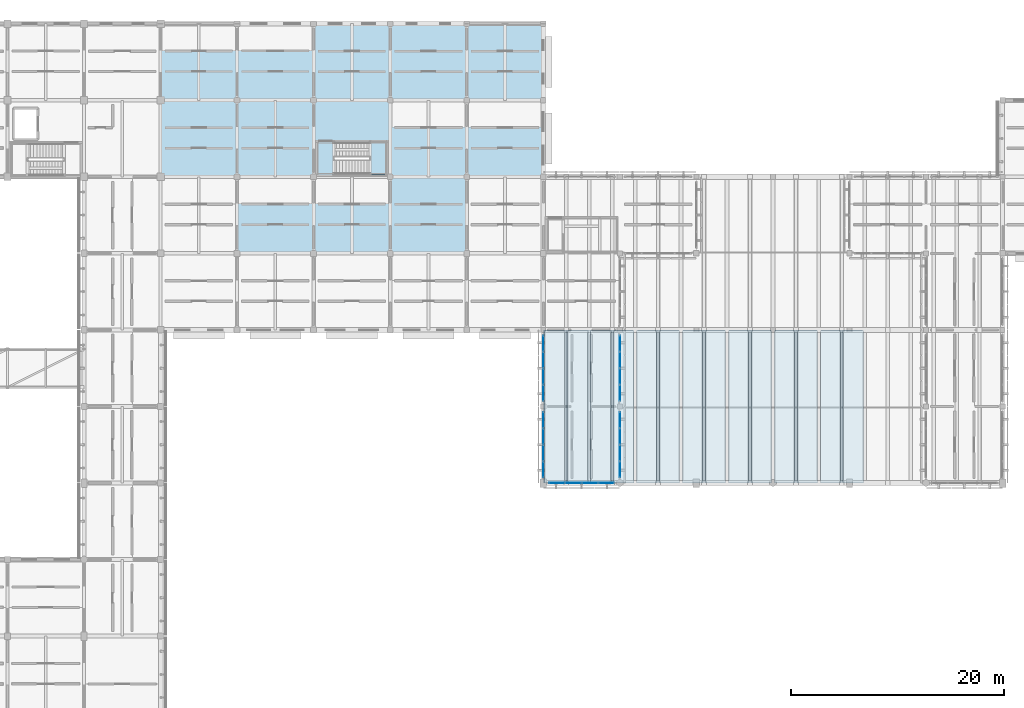
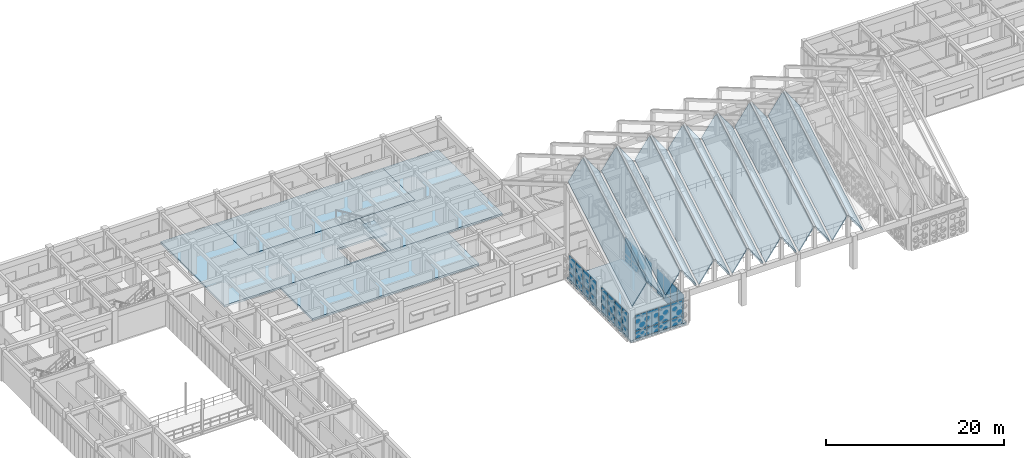
# One storey, part 102 of 171: 40 plates, 20 slabs, 6 elements without a shape of their own.
"""IFC4 building model written with IfcOpenShell, lengths in metres."""

from ifc_helpers import new_model, si_unit, direction, frame, origin, origin_2d, place, context, subcontext, project, spatial, polyline, rectangle, outline, extrude, material, layer, layer_set, type_object, element, aggregate, save


model = new_model("IFC4")

# Units and contexts
model_context = context("Model", 3, precision=1e-05, world=origin(), true_north=direction((0.0, 1.0)))
body_context = subcontext(model_context, "Body", "Model", "MODEL_VIEW")
ifc_project = project(units=[si_unit("LENGTHUNIT", "METRE"), si_unit("AREAUNIT", "SQUARE_METRE"), si_unit("VOLUMEUNIT", "CUBIC_METRE"), si_unit("PLANEANGLEUNIT", "RADIAN"), si_unit("MASSUNIT", "GRAM", prefix="KILO")], contexts=[model_context])

# Site, building, storey
site_placement = place(None, origin())
site = spatial("IfcSite", under=ifc_project, at=site_placement, CompositionType="ELEMENT")
building_placement = place(site_placement, origin())
building = spatial("IfcBuilding", under=site, at=building_placement, Name="Aldebral Square Health Centre", CompositionType="ELEMENT")
storey_placement = place(building_placement, frame((0.0, 0.0, 4.5)))
storey = spatial("IfcBuildingStorey", under=building, at=storey_placement, Name="L01", CompositionType="ELEMENT", Elevation=4.5)

# Curtain wall, plates
ifc_material_1 = material(Name="Aluminium and low-E solar glass", Category="aluminium")
curtain_wall_type = type_object("IfcCurtainWallType", Name="CW-HALL-SYS", PredefinedType="USERDEFINED", material=ifc_material_1)
curtain_wall_1_placement = place(storey_placement, origin())
curtain_wall_1 = element("IfcCurtainWall", 1, at=curtain_wall_1_placement, inside=storey, type_object=curtain_wall_type, Name="L01 V1 hall curtain wall L01-V1-09-10-S", ObjectType="HALL_CURTAIN_WALL", PredefinedType="USERDEFINED")
ifc_material_2 = material(Name="Solar-control low-E double glass", Category="glass")
ifc_layer_1 = layer(ifc_material_2, 0.030029296875, Name="Solar-control low-E double glass", Category="glass")
ifc_layer_set_1 = layer_set([ifc_layer_1], Name="Solar-control low-E double glass")
plate_type = type_object("IfcPlateType", Name="CWP-GLZ-2", PredefinedType="CURTAIN_PANEL", material=ifc_layer_set_1)
plate_1_placement = place(storey_placement, frame((66.078857421875, 72.0, 0.0751953125), z_axis=(0.0, 0.0, 1.0), x_axis=(1.0, 0.0, 0.0)))
plate_1 = element("IfcPlate", 2, at=plate_1_placement, type_object=plate_type, Name="CW2 panel 1.1", PredefinedType="CURTAIN_PANEL", context=body_context, shape_type="SweptSolid", body=[
    extrude(rectangle(XDim=1.447509765625, YDim=0.030029296875, at=origin_2d()), origin(), (0.0, 0.0, 1.0), 0.987548828125),
])
plate_2_placement = place(storey_placement, frame((66.078857421875, 72.0, 1.1376953125), z_axis=(0.0, 0.0, 1.0), x_axis=(1.0, 0.0, 0.0)))
plate_2 = element("IfcPlate", 3, at=plate_2_placement, type_object=plate_type, Name="CW2 panel 1.2", PredefinedType="CURTAIN_PANEL", context=body_context, shape_type="SweptSolid", body=[
    extrude(rectangle(XDim=1.447509765625, YDim=0.030029296875, at=origin_2d()), origin(), (0.0, 0.0, 1.0), 2.157470703125),
])
plate_3_placement = place(storey_placement, frame((67.6201171875, 72.0, 0.0751953125), z_axis=(0.0, 0.0, 1.0), x_axis=(1.0, 0.0, 0.0)))
plate_3 = element("IfcPlate", 4, at=plate_3_placement, type_object=plate_type, Name="CW2 panel 2.1", PredefinedType="CURTAIN_PANEL", context=body_context, shape_type="SweptSolid", body=[
    extrude(rectangle(XDim=1.485107421875, YDim=0.030029296875, at=origin_2d()), origin(), (0.0, 0.0, 1.0), 0.987548828125),
])
plate_4_placement = place(storey_placement, frame((67.6201171875, 72.0, 1.1376953125), z_axis=(0.0, 0.0, 1.0), x_axis=(1.0, 0.0, 0.0)))
plate_4 = element("IfcPlate", 5, at=plate_4_placement, type_object=plate_type, Name="CW2 panel 2.2", PredefinedType="CURTAIN_PANEL", context=body_context, shape_type="SweptSolid", body=[
    extrude(rectangle(XDim=1.485107421875, YDim=0.030029296875, at=origin_2d()), origin(), (0.0, 0.0, 1.0), 2.157470703125),
])
plate_5_placement = place(storey_placement, frame((69.179931640625, 72.0, 0.0751953125), z_axis=(0.0, 0.0, 1.0), x_axis=(1.0, 0.0, 0.0)))
plate_5 = element("IfcPlate", 6, at=plate_5_placement, type_object=plate_type, Name="CW2 panel 3.1", PredefinedType="CURTAIN_PANEL", context=body_context, shape_type="SweptSolid", body=[
    extrude(rectangle(XDim=1.485107421875, YDim=0.030029296875, at=origin_2d()), origin(), (0.0, 0.0, 1.0), 0.987548828125),
])
plate_6_placement = place(storey_placement, frame((69.179931640625, 72.0, 1.1376953125), z_axis=(0.0, 0.0, 1.0), x_axis=(1.0, 0.0, 0.0)))
plate_6 = element("IfcPlate", 7, at=plate_6_placement, type_object=plate_type, Name="CW2 panel 3.2", PredefinedType="CURTAIN_PANEL", context=body_context, shape_type="SweptSolid", body=[
    extrude(rectangle(XDim=1.485107421875, YDim=0.030029296875, at=origin_2d()), origin(), (0.0, 0.0, 1.0), 2.157470703125),
])
plate_7_placement = place(storey_placement, frame((70.72119140625, 72.0, 0.0751953125), z_axis=(0.0, 0.0, 1.0), x_axis=(1.0, 0.0, 0.0)))
plate_7 = element("IfcPlate", 8, at=plate_7_placement, type_object=plate_type, Name="CW2 panel 4.1", PredefinedType="CURTAIN_PANEL", context=body_context, shape_type="SweptSolid", body=[
    extrude(rectangle(XDim=1.447509765625, YDim=0.030029296875, at=origin_2d()), origin(), (0.0, 0.0, 1.0), 0.987548828125),
])
plate_8_placement = place(storey_placement, frame((70.72119140625, 72.0, 1.1376953125), z_axis=(0.0, 0.0, 1.0), x_axis=(1.0, 0.0, 0.0)))
plate_8 = element("IfcPlate", 9, at=plate_8_placement, type_object=plate_type, Name="CW2 panel 4.2", PredefinedType="CURTAIN_PANEL", context=body_context, shape_type="SweptSolid", body=[
    extrude(rectangle(XDim=1.447509765625, YDim=0.030029296875, at=origin_2d()), origin(), (0.0, 0.0, 1.0), 2.157470703125),
])
aggregate(curtain_wall_1, [plate_1, plate_2, plate_3, plate_4, plate_5, plate_6, plate_7, plate_8])

curtain_wall_2_placement = place(storey_placement, origin())
curtain_wall_2 = element("IfcCurtainWall", 10, at=curtain_wall_2_placement, inside=storey, type_object=curtain_wall_type, Name="L01 V1 hall curtain wall L01-V1-09-10-W", ObjectType="HALL_CURTAIN_WALL", PredefinedType="USERDEFINED")
plate_9_placement = place(storey_placement, frame((64.800048828125, 77.921142578125, 0.0751953125), z_axis=(0.0, 0.0, 1.0), x_axis=(0.0, -1.0, 0.0)))
plate_9 = element("IfcPlate", 11, at=plate_9_placement, type_object=plate_type, Name="CW2 panel 1.1", PredefinedType="CURTAIN_PANEL", context=body_context, shape_type="SweptSolid", body=[
    extrude(rectangle(XDim=1.447509765625, YDim=0.030029296875, at=origin_2d()), origin(), (0.0, 0.0, 1.0), 0.987548828125),
])
plate_10_placement = place(storey_placement, frame((64.800048828125, 77.921142578125, 1.1376953125), z_axis=(0.0, 0.0, 1.0), x_axis=(0.0, -1.0, 0.0)))
plate_10 = element("IfcPlate", 12, at=plate_10_placement, type_object=plate_type, Name="CW2 panel 1.2", PredefinedType="CURTAIN_PANEL", context=body_context, shape_type="SweptSolid", body=[
    extrude(rectangle(XDim=1.447509765625, YDim=0.030029296875, at=origin_2d()), origin(), (0.0, 0.0, 1.0), 2.257568359375),
])
plate_11_placement = place(storey_placement, frame((64.800048828125, 76.3798828125, 0.0751953125), z_axis=(0.0, 0.0, 1.0), x_axis=(0.0, -1.0, 0.0)))
plate_11 = element("IfcPlate", 13, at=plate_11_placement, type_object=plate_type, Name="CW2 panel 2.1", PredefinedType="CURTAIN_PANEL", context=body_context, shape_type="SweptSolid", body=[
    extrude(rectangle(XDim=1.485107421875, YDim=0.030029296875, at=origin_2d()), origin(), (0.0, 0.0, 1.0), 0.987548828125),
])
plate_12_placement = place(storey_placement, frame((64.800048828125, 76.3798828125, 1.1376953125), z_axis=(0.0, 0.0, 1.0), x_axis=(0.0, -1.0, 0.0)))
plate_12 = element("IfcPlate", 14, at=plate_12_placement, type_object=plate_type, Name="CW2 panel 2.2", PredefinedType="CURTAIN_PANEL", context=body_context, shape_type="SweptSolid", body=[
    extrude(rectangle(XDim=1.485107421875, YDim=0.030029296875, at=origin_2d()), origin(), (0.0, 0.0, 1.0), 2.257568359375),
])
plate_13_placement = place(storey_placement, frame((64.800048828125, 74.820068359375, 0.0751953125), z_axis=(0.0, 0.0, 1.0), x_axis=(0.0, -1.0, 0.0)))
plate_13 = element("IfcPlate", 15, at=plate_13_placement, type_object=plate_type, Name="CW2 panel 3.1", PredefinedType="CURTAIN_PANEL", context=body_context, shape_type="SweptSolid", body=[
    extrude(rectangle(XDim=1.485107421875, YDim=0.030029296875, at=origin_2d()), origin(), (0.0, 0.0, 1.0), 0.987548828125),
])
plate_14_placement = place(storey_placement, frame((64.800048828125, 74.820068359375, 1.1376953125), z_axis=(0.0, 0.0, 1.0), x_axis=(0.0, -1.0, 0.0)))
plate_14 = element("IfcPlate", 16, at=plate_14_placement, type_object=plate_type, Name="CW2 panel 3.2", PredefinedType="CURTAIN_PANEL", context=body_context, shape_type="SweptSolid", body=[
    extrude(rectangle(XDim=1.485107421875, YDim=0.030029296875, at=origin_2d()), origin(), (0.0, 0.0, 1.0), 2.257568359375),
])
plate_15_placement = place(storey_placement, frame((64.800048828125, 73.27880859375, 0.0751953125), z_axis=(0.0, 0.0, 1.0), x_axis=(0.0, -1.0, 0.0)))
plate_15 = element("IfcPlate", 17, at=plate_15_placement, type_object=plate_type, Name="CW2 panel 4.1", PredefinedType="CURTAIN_PANEL", context=body_context, shape_type="SweptSolid", body=[
    extrude(rectangle(XDim=1.447509765625, YDim=0.030029296875, at=origin_2d()), origin(), (0.0, 0.0, 1.0), 0.987548828125),
])
plate_16_placement = place(storey_placement, frame((64.800048828125, 73.27880859375, 1.1376953125), z_axis=(0.0, 0.0, 1.0), x_axis=(0.0, -1.0, 0.0)))
plate_16 = element("IfcPlate", 18, at=plate_16_placement, type_object=plate_type, Name="CW2 panel 4.2", PredefinedType="CURTAIN_PANEL", context=body_context, shape_type="SweptSolid", body=[
    extrude(rectangle(XDim=1.447509765625, YDim=0.030029296875, at=origin_2d()), origin(), (0.0, 0.0, 1.0), 2.257568359375),
])
aggregate(curtain_wall_2, [plate_9, plate_10, plate_11, plate_12, plate_13, plate_14, plate_15, plate_16])

curtain_wall_3_placement = place(storey_placement, origin())
curtain_wall_3 = element("IfcCurtainWall", 19, at=curtain_wall_3_placement, inside=storey, type_object=curtain_wall_type, Name="L01 V1 hall curtain wall L01-V1-09-10-E", ObjectType="HALL_CURTAIN_WALL", PredefinedType="USERDEFINED")
plate_17_placement = place(storey_placement, frame((72.0, 73.27880859375, 0.0751953125), z_axis=(0.0, 0.0, 1.0), x_axis=(0.0, 1.0, 0.0)))
plate_17 = element("IfcPlate", 20, at=plate_17_placement, type_object=plate_type, Name="CW2 panel 1.1", PredefinedType="CURTAIN_PANEL", context=body_context, shape_type="SweptSolid", body=[
    extrude(rectangle(XDim=1.447509765625, YDim=0.030029296875, at=origin_2d()), origin(), (0.0, 0.0, 1.0), 0.987548828125),
])
plate_18_placement = place(storey_placement, frame((72.0, 73.27880859375, 1.1376953125), z_axis=(0.0, 0.0, 1.0), x_axis=(0.0, 1.0, 0.0)))
plate_18 = element("IfcPlate", 21, at=plate_18_placement, type_object=plate_type, Name="CW2 panel 1.2", PredefinedType="CURTAIN_PANEL", context=body_context, shape_type="SweptSolid", body=[
    extrude(rectangle(XDim=1.447509765625, YDim=0.030029296875, at=origin_2d()), origin(), (0.0, 0.0, 1.0), 2.257568359375),
])
plate_19_placement = place(storey_placement, frame((72.0, 74.820068359375, 0.0751953125), z_axis=(0.0, 0.0, 1.0), x_axis=(0.0, 1.0, 0.0)))
plate_19 = element("IfcPlate", 22, at=plate_19_placement, type_object=plate_type, Name="CW2 panel 2.1", PredefinedType="CURTAIN_PANEL", context=body_context, shape_type="SweptSolid", body=[
    extrude(rectangle(XDim=1.485107421875, YDim=0.030029296875, at=origin_2d()), origin(), (0.0, 0.0, 1.0), 0.987548828125),
])
plate_20_placement = place(storey_placement, frame((72.0, 74.820068359375, 1.1376953125), z_axis=(0.0, 0.0, 1.0), x_axis=(0.0, 1.0, 0.0)))
plate_20 = element("IfcPlate", 23, at=plate_20_placement, type_object=plate_type, Name="CW2 panel 2.2", PredefinedType="CURTAIN_PANEL", context=body_context, shape_type="SweptSolid", body=[
    extrude(rectangle(XDim=1.485107421875, YDim=0.030029296875, at=origin_2d()), origin(), (0.0, 0.0, 1.0), 2.257568359375),
])
plate_21_placement = place(storey_placement, frame((72.0, 76.3798828125, 0.0751953125), z_axis=(0.0, 0.0, 1.0), x_axis=(0.0, 1.0, 0.0)))
plate_21 = element("IfcPlate", 24, at=plate_21_placement, type_object=plate_type, Name="CW2 panel 3.1", PredefinedType="CURTAIN_PANEL", context=body_context, shape_type="SweptSolid", body=[
    extrude(rectangle(XDim=1.485107421875, YDim=0.030029296875, at=origin_2d()), origin(), (0.0, 0.0, 1.0), 0.987548828125),
])
plate_22_placement = place(storey_placement, frame((72.0, 76.3798828125, 1.1376953125), z_axis=(0.0, 0.0, 1.0), x_axis=(0.0, 1.0, 0.0)))
plate_22 = element("IfcPlate", 25, at=plate_22_placement, type_object=plate_type, Name="CW2 panel 3.2", PredefinedType="CURTAIN_PANEL", context=body_context, shape_type="SweptSolid", body=[
    extrude(rectangle(XDim=1.485107421875, YDim=0.030029296875, at=origin_2d()), origin(), (0.0, 0.0, 1.0), 2.257568359375),
])
plate_23_placement = place(storey_placement, frame((72.0, 77.921142578125, 0.0751953125), z_axis=(0.0, 0.0, 1.0), x_axis=(0.0, 1.0, 0.0)))
plate_23 = element("IfcPlate", 26, at=plate_23_placement, type_object=plate_type, Name="CW2 panel 4.1", PredefinedType="CURTAIN_PANEL", context=body_context, shape_type="SweptSolid", body=[
    extrude(rectangle(XDim=1.447509765625, YDim=0.030029296875, at=origin_2d()), origin(), (0.0, 0.0, 1.0), 0.987548828125),
])
plate_24_placement = place(storey_placement, frame((72.0, 77.921142578125, 1.1376953125), z_axis=(0.0, 0.0, 1.0), x_axis=(0.0, 1.0, 0.0)))
plate_24 = element("IfcPlate", 27, at=plate_24_placement, type_object=plate_type, Name="CW2 panel 4.2", PredefinedType="CURTAIN_PANEL", context=body_context, shape_type="SweptSolid", body=[
    extrude(rectangle(XDim=1.447509765625, YDim=0.030029296875, at=origin_2d()), origin(), (0.0, 0.0, 1.0), 2.257568359375),
])
aggregate(curtain_wall_3, [plate_17, plate_18, plate_19, plate_20, plate_21, plate_22, plate_23, plate_24])

curtain_wall_4_placement = place(storey_placement, origin())
curtain_wall_4 = element("IfcCurtainWall", 28, at=curtain_wall_4_placement, inside=storey, type_object=curtain_wall_type, Name="L01 V1 hall curtain wall L01-V1-09-11-W", ObjectType="HALL_CURTAIN_WALL", PredefinedType="USERDEFINED")
plate_25_placement = place(storey_placement, frame((64.800048828125, 85.121337890625, 0.0751953125), z_axis=(0.0, 0.0, 1.0), x_axis=(0.0, -1.0, 0.0)))
plate_25 = element("IfcPlate", 29, at=plate_25_placement, type_object=plate_type, Name="CW2 panel 1.1", PredefinedType="CURTAIN_PANEL", context=body_context, shape_type="SweptSolid", body=[
    extrude(rectangle(XDim=1.447509765625, YDim=0.030029296875, at=origin_2d()), origin(), (0.0, 0.0, 1.0), 0.987548828125),
])
plate_26_placement = place(storey_placement, frame((64.800048828125, 85.121337890625, 1.1376953125), z_axis=(0.0, 0.0, 1.0), x_axis=(0.0, -1.0, 0.0)))
plate_26 = element("IfcPlate", 30, at=plate_26_placement, type_object=plate_type, Name="CW2 panel 1.2", PredefinedType="CURTAIN_PANEL", context=body_context, shape_type="SweptSolid", body=[
    extrude(rectangle(XDim=1.447509765625, YDim=0.030029296875, at=origin_2d()), origin(), (0.0, 0.0, 1.0), 2.257568359375),
])
plate_27_placement = place(storey_placement, frame((64.800048828125, 83.580078125, 0.0751953125), z_axis=(0.0, 0.0, 1.0), x_axis=(0.0, -1.0, 0.0)))
plate_27 = element("IfcPlate", 31, at=plate_27_placement, type_object=plate_type, Name="CW2 panel 2.1", PredefinedType="CURTAIN_PANEL", context=body_context, shape_type="SweptSolid", body=[
    extrude(rectangle(XDim=1.485107421875, YDim=0.030029296875, at=origin_2d()), origin(), (0.0, 0.0, 1.0), 0.987548828125),
])
plate_28_placement = place(storey_placement, frame((64.800048828125, 83.580078125, 1.1376953125), z_axis=(0.0, 0.0, 1.0), x_axis=(0.0, -1.0, 0.0)))
plate_28 = element("IfcPlate", 32, at=plate_28_placement, type_object=plate_type, Name="CW2 panel 2.2", PredefinedType="CURTAIN_PANEL", context=body_context, shape_type="SweptSolid", body=[
    extrude(rectangle(XDim=1.485107421875, YDim=0.030029296875, at=origin_2d()), origin(), (0.0, 0.0, 1.0), 2.257568359375),
])
plate_29_placement = place(storey_placement, frame((64.800048828125, 82.02001953125, 0.0751953125), z_axis=(0.0, 0.0, 1.0), x_axis=(0.0, -1.0, 0.0)))
plate_29 = element("IfcPlate", 33, at=plate_29_placement, type_object=plate_type, Name="CW2 panel 3.1", PredefinedType="CURTAIN_PANEL", context=body_context, shape_type="SweptSolid", body=[
    extrude(rectangle(XDim=1.485107421875, YDim=0.030029296875, at=origin_2d()), origin(), (0.0, 0.0, 1.0), 0.987548828125),
])
plate_30_placement = place(storey_placement, frame((64.800048828125, 82.02001953125, 1.1376953125), z_axis=(0.0, 0.0, 1.0), x_axis=(0.0, -1.0, 0.0)))
plate_30 = element("IfcPlate", 34, at=plate_30_placement, type_object=plate_type, Name="CW2 panel 3.2", PredefinedType="CURTAIN_PANEL", context=body_context, shape_type="SweptSolid", body=[
    extrude(rectangle(XDim=1.485107421875, YDim=0.030029296875, at=origin_2d()), origin(), (0.0, 0.0, 1.0), 2.257568359375),
])
plate_31_placement = place(storey_placement, frame((64.800048828125, 80.478759765625, 0.0751953125), z_axis=(0.0, 0.0, 1.0), x_axis=(0.0, -1.0, 0.0)))
plate_31 = element("IfcPlate", 35, at=plate_31_placement, type_object=plate_type, Name="CW2 panel 4.1", PredefinedType="CURTAIN_PANEL", context=body_context, shape_type="SweptSolid", body=[
    extrude(rectangle(XDim=1.447509765625, YDim=0.030029296875, at=origin_2d()), origin(), (0.0, 0.0, 1.0), 0.987548828125),
])
plate_32_placement = place(storey_placement, frame((64.800048828125, 80.478759765625, 1.1376953125), z_axis=(0.0, 0.0, 1.0), x_axis=(0.0, -1.0, 0.0)))
plate_32 = element("IfcPlate", 36, at=plate_32_placement, type_object=plate_type, Name="CW2 panel 4.2", PredefinedType="CURTAIN_PANEL", context=body_context, shape_type="SweptSolid", body=[
    extrude(rectangle(XDim=1.447509765625, YDim=0.030029296875, at=origin_2d()), origin(), (0.0, 0.0, 1.0), 2.257568359375),
])
aggregate(curtain_wall_4, [plate_25, plate_26, plate_27, plate_28, plate_29, plate_30, plate_31, plate_32])

curtain_wall_5_placement = place(storey_placement, origin())
curtain_wall_5 = element("IfcCurtainWall", 37, at=curtain_wall_5_placement, inside=storey, type_object=curtain_wall_type, Name="L01 V1 hall curtain wall L01-V1-09-11-E", ObjectType="HALL_CURTAIN_WALL", PredefinedType="USERDEFINED")
plate_33_placement = place(storey_placement, frame((72.0, 80.478759765625, 0.0751953125), z_axis=(0.0, 0.0, 1.0), x_axis=(0.0, 1.0, 0.0)))
plate_33 = element("IfcPlate", 38, at=plate_33_placement, type_object=plate_type, Name="CW2 panel 1.1", PredefinedType="CURTAIN_PANEL", context=body_context, shape_type="SweptSolid", body=[
    extrude(rectangle(XDim=1.447509765625, YDim=0.030029296875, at=origin_2d()), origin(), (0.0, 0.0, 1.0), 0.987548828125),
])
plate_34_placement = place(storey_placement, frame((72.0, 80.478759765625, 1.1376953125), z_axis=(0.0, 0.0, 1.0), x_axis=(0.0, 1.0, 0.0)))
plate_34 = element("IfcPlate", 39, at=plate_34_placement, type_object=plate_type, Name="CW2 panel 1.2", PredefinedType="CURTAIN_PANEL", context=body_context, shape_type="SweptSolid", body=[
    extrude(rectangle(XDim=1.447509765625, YDim=0.030029296875, at=origin_2d()), origin(), (0.0, 0.0, 1.0), 2.257568359375),
])
plate_35_placement = place(storey_placement, frame((72.0, 82.02001953125, 0.0751953125), z_axis=(0.0, 0.0, 1.0), x_axis=(0.0, 1.0, 0.0)))
plate_35 = element("IfcPlate", 40, at=plate_35_placement, type_object=plate_type, Name="CW2 panel 2.1", PredefinedType="CURTAIN_PANEL", context=body_context, shape_type="SweptSolid", body=[
    extrude(rectangle(XDim=1.485107421875, YDim=0.030029296875, at=origin_2d()), origin(), (0.0, 0.0, 1.0), 0.987548828125),
])
plate_36_placement = place(storey_placement, frame((72.0, 82.02001953125, 1.1376953125), z_axis=(0.0, 0.0, 1.0), x_axis=(0.0, 1.0, 0.0)))
plate_36 = element("IfcPlate", 41, at=plate_36_placement, type_object=plate_type, Name="CW2 panel 2.2", PredefinedType="CURTAIN_PANEL", context=body_context, shape_type="SweptSolid", body=[
    extrude(rectangle(XDim=1.485107421875, YDim=0.030029296875, at=origin_2d()), origin(), (0.0, 0.0, 1.0), 2.257568359375),
])
plate_37_placement = place(storey_placement, frame((72.0, 83.580078125, 0.0751953125), z_axis=(0.0, 0.0, 1.0), x_axis=(0.0, 1.0, 0.0)))
plate_37 = element("IfcPlate", 42, at=plate_37_placement, type_object=plate_type, Name="CW2 panel 3.1", PredefinedType="CURTAIN_PANEL", context=body_context, shape_type="SweptSolid", body=[
    extrude(rectangle(XDim=1.485107421875, YDim=0.030029296875, at=origin_2d()), origin(), (0.0, 0.0, 1.0), 0.987548828125),
])
plate_38_placement = place(storey_placement, frame((72.0, 83.580078125, 1.1376953125), z_axis=(0.0, 0.0, 1.0), x_axis=(0.0, 1.0, 0.0)))
plate_38 = element("IfcPlate", 43, at=plate_38_placement, type_object=plate_type, Name="CW2 panel 3.2", PredefinedType="CURTAIN_PANEL", context=body_context, shape_type="SweptSolid", body=[
    extrude(rectangle(XDim=1.485107421875, YDim=0.030029296875, at=origin_2d()), origin(), (0.0, 0.0, 1.0), 2.257568359375),
])
plate_39_placement = place(storey_placement, frame((72.0, 85.121337890625, 0.0751953125), z_axis=(0.0, 0.0, 1.0), x_axis=(0.0, 1.0, 0.0)))
plate_39 = element("IfcPlate", 44, at=plate_39_placement, type_object=plate_type, Name="CW2 panel 4.1", PredefinedType="CURTAIN_PANEL", context=body_context, shape_type="SweptSolid", body=[
    extrude(rectangle(XDim=1.447509765625, YDim=0.030029296875, at=origin_2d()), origin(), (0.0, 0.0, 1.0), 0.987548828125),
])
plate_40_placement = place(storey_placement, frame((72.0, 85.121337890625, 1.1376953125), z_axis=(0.0, 0.0, 1.0), x_axis=(0.0, 1.0, 0.0)))
plate_40 = element("IfcPlate", 45, at=plate_40_placement, type_object=plate_type, Name="CW2 panel 4.2", PredefinedType="CURTAIN_PANEL", context=body_context, shape_type="SweptSolid", body=[
    extrude(rectangle(XDim=1.447509765625, YDim=0.030029296875, at=origin_2d()), origin(), (0.0, 0.0, 1.0), 2.257568359375),
])
aggregate(curtain_wall_5, [plate_33, plate_34, plate_35, plate_36, plate_37, plate_38, plate_39, plate_40])

# Slabs
ifc_material_3 = material(Name="Concrete C35/45", Category="concrete")
ifc_layer_2 = layer(ifc_material_3, 0.280029296875, Name="Concrete C35/45", Category="concrete")
ifc_layer_set_2 = layer_set([ifc_layer_2], Name="Concrete C35/45")
slab_type_1 = type_object("IfcSlabType", Name="SL-FLR-280", PredefinedType="FLOOR", material=ifc_layer_set_2)
slab_1_placement = place(storey_placement, frame((0.0, 0.0, -0.280029296875)))
element("IfcSlab", 46, at=slab_1_placement, inside=storey, type_object=slab_type_1, Name="L01 V1 floor slab 1", PredefinedType="FLOOR", context=body_context, shape_type="SweptSolid", body=[
    extrude(outline(polyline([(64.800048828125, 72.0), (64.800048828125, 79.199951171875), (64.800048828125, 86.39990234375), (72.0, 86.39990234375), (72.0, 79.199951171875), (72.0, 72.0), (64.800048828125, 72.0)])), origin(), (0.0, 0.0, 1.0), 0.280029296875),
])
slab_2_placement = place(storey_placement, frame((0.0, 0.0, -0.280029296875)))
element("IfcSlab", 47, at=slab_2_placement, inside=storey, type_object=slab_type_1, Name="L01 V2 floor slab 2", PredefinedType="FLOOR", context=body_context, shape_type="SweptSolid", body=[
    extrude(outline(polyline([(28.800048828125, 115.199951171875), (36.0, 115.199951171875), (36.0, 108.0), (43.199951171875, 108.0), (50.39990234375, 108.0), (50.39990234375, 100.800048828125), (43.199951171875, 100.800048828125), (36.0, 100.800048828125), (28.800048828125, 100.800048828125), (28.800048828125, 108.0), (28.800048828125, 115.199951171875)]), holes=[polyline([(50.06005859375, 104.080078125), (45.219970703125, 104.080078125), (45.219970703125, 101.0), (50.06005859375, 101.0), (50.06005859375, 104.080078125)])]), origin(), (0.0, 0.0, 1.0), 0.280029296875),
])
slab_3_placement = place(storey_placement, frame((0.0, 0.0, -0.280029296875)))
element("IfcSlab", 48, at=slab_3_placement, inside=storey, type_object=slab_type_1, Name="L01 V2 floor slab 3", PredefinedType="FLOOR", context=body_context, shape_type="SweptSolid", body=[
    extrude(outline(polyline([(36.0, 100.800048828125), (43.199951171875, 100.800048828125), (50.39990234375, 100.800048828125), (57.60009765625, 100.800048828125), (57.60009765625, 93.60009765625), (50.39990234375, 93.60009765625), (43.199951171875, 93.60009765625), (36.0, 93.60009765625), (36.0, 100.800048828125)])), origin(), (0.0, 0.0, 1.0), 0.280029296875),
])
slab_4_placement = place(storey_placement, frame((0.0, 0.0, -0.280029296875)))
element("IfcSlab", 49, at=slab_4_placement, inside=storey, type_object=slab_type_1, Name="L01 V2 floor slab 4", PredefinedType="FLOOR", context=body_context, shape_type="SweptSolid", body=[
    extrude(outline(polyline([(36.0, 115.199951171875), (43.199951171875, 115.199951171875), (50.39990234375, 115.199951171875), (57.60009765625, 115.199951171875), (57.60009765625, 108.0), (50.39990234375, 108.0), (43.199951171875, 108.0), (36.0, 108.0), (36.0, 115.199951171875)])), origin(), (0.0, 0.0, 1.0), 0.280029296875),
])
slab_5_placement = place(storey_placement, frame((0.0, 0.0, -0.280029296875)))
element("IfcSlab", 50, at=slab_5_placement, inside=storey, type_object=slab_type_1, Name="L01 V2 floor slab 6", PredefinedType="FLOOR", context=body_context, shape_type="SweptSolid", body=[
    extrude(outline(polyline([(50.39990234375, 108.0), (57.60009765625, 108.0), (57.60009765625, 115.199951171875), (64.800048828125, 115.199951171875), (64.800048828125, 108.0), (64.800048828125, 100.800048828125), (57.60009765625, 100.800048828125), (50.39990234375, 100.800048828125), (50.39990234375, 108.0)])), origin(), (0.0, 0.0, 1.0), 0.280029296875),
])
ifc_material_4 = material(Name="Concrete C40/50", Category="concrete")
ifc_layer_3 = layer(ifc_material_4, 0.179931640625, Name="Concrete C40/50", Category="concrete")
ifc_layer_set_3 = layer_set([ifc_layer_3], Name="Concrete C40/50")
slab_type_2 = type_object("IfcSlabType", Name="SL-FP-180", PredefinedType="ROOF", material=ifc_layer_set_3)
slab_6_placement = place(storey_placement, frame((64.929931640625, 72.0, 4.6806640625), z_axis=(-0.768091096898, -0.322647311562, 0.553113712728), x_axis=(0.584366040123, 0.0, 0.811490191654)))
element("IfcSlab", 51, at=slab_6_placement, inside=storey, type_object=slab_type_2, Name="Waiting Hall folded-plate roof bay 1 SW", PredefinedType="ROOF", context=body_context, shape_type="SweptSolid", body=[
    extrude(outline(polyline([(0.0, 0.0), (3.251637422284146, 0.0), (10.039744950764348, 15.150339221081133), (6.788107528480202, 15.150339221081133), (0.0, 0.0)])), origin(), (0.0, 0.0, -1.0), 0.179931640625),
])
slab_7_placement = place(storey_placement, frame((67.090087890625, 72.0, 7.3193359375), z_axis=(0.768131563262, -0.322622852443, 0.553071782504), x_axis=(0.584316593906, 0.0, -0.811525796316)))
element("IfcSlab", 52, at=slab_7_placement, inside=storey, type_object=slab_type_2, Name="Waiting Hall folded-plate roof bay 1 SE", PredefinedType="ROOF", context=body_context, shape_type="SweptSolid", body=[
    extrude(outline(polyline([(0.0, 0.0), (3.251494760829665, -5.551115123125783e-17), (-3.5369106002981106, 15.150205773686729), (-6.788405361127777, 15.150205773686729), (0.0, 0.0)])), origin(), (0.0, 0.0, -1.0), 0.179931640625),
])
slab_8_placement = place(storey_placement, frame((69.25, 72.0, 4.6806640625), z_axis=(-0.768131563262, -0.322622852443, 0.553071782504), x_axis=(0.584316593906, 0.0, 0.811525796316)))
element("IfcSlab", 53, at=slab_8_placement, inside=storey, type_object=slab_type_2, Name="Waiting Hall folded-plate roof bay 2 SW", PredefinedType="ROOF", context=body_context, shape_type="SweptSolid", body=[
    extrude(outline(polyline([(0.0, 0.0), (3.251494760829665, 5.551115123125783e-17), (10.03990012195744, 15.150205773686729), (6.788405361127777, 15.150205773686729), (0.0, 0.0)])), origin(), (0.0, 0.0, -1.0), 0.179931640625),
])
slab_9_placement = place(storey_placement, frame((71.409912109375, 72.0, 7.3193359375), z_axis=(0.768091096898, -0.322647311562, 0.553113712728), x_axis=(0.584366040123, 0.0, -0.811490191654)))
element("IfcSlab", 54, at=slab_9_placement, inside=storey, type_object=slab_type_2, Name="Waiting Hall folded-plate roof bay 2 SE", PredefinedType="ROOF", context=body_context, shape_type="SweptSolid", body=[
    extrude(outline(polyline([(0.0, 0.0), (3.251637422284146, 0.0), (-3.536470106196056, 15.150339221081133), (-6.788107528480202, 15.150339221081133), (0.0, 0.0)])), origin(), (0.0, 0.0, -1.0), 0.179931640625),
])
slab_10_placement = place(storey_placement, frame((73.570068359375, 72.0, 4.6806640625), z_axis=(-0.768131563262, -0.322622852443, 0.553071782504), x_axis=(0.584316593906, 0.0, 0.811525796316)))
element("IfcSlab", 55, at=slab_10_placement, inside=storey, type_object=slab_type_2, Name="Waiting Hall folded-plate roof bay 3 SW", PredefinedType="ROOF", context=body_context, shape_type="SweptSolid", body=[
    extrude(outline(polyline([(0.0, 0.0), (3.251494760829665, 5.551115123125783e-17), (10.03990012195744, 15.150205773686729), (6.788405361127777, 15.150205773686729), (0.0, 0.0)])), origin(), (0.0, 0.0, -1.0), 0.179931640625),
])
slab_11_placement = place(storey_placement, frame((75.72998046875, 72.0, 7.3193359375), z_axis=(0.768131563262, -0.322622852443, 0.553071782504), x_axis=(0.584316593906, 0.0, -0.811525796316)))
element("IfcSlab", 56, at=slab_11_placement, inside=storey, type_object=slab_type_2, Name="Waiting Hall folded-plate roof bay 3 SE", PredefinedType="ROOF", context=body_context, shape_type="SweptSolid", body=[
    extrude(outline(polyline([(0.0, 0.0), (3.251494760829665, -5.551115123125783e-17), (-3.5369106002981106, 15.150205773686729), (-6.788405361127777, 15.150205773686729), (0.0, 0.0)])), origin(), (0.0, 0.0, -1.0), 0.179931640625),
])
slab_12_placement = place(storey_placement, frame((77.889892578125, 72.0, 4.6806640625), z_axis=(-0.768091096898, -0.322647311562, 0.553113712728), x_axis=(0.584366040123, 0.0, 0.811490191654)))
element("IfcSlab", 57, at=slab_12_placement, inside=storey, type_object=slab_type_2, Name="Waiting Hall folded-plate roof bay 4 SW", PredefinedType="ROOF", context=body_context, shape_type="SweptSolid", body=[
    extrude(outline(polyline([(0.0, 0.0), (3.251637422284146, 0.0), (10.039744950764348, 15.150339221081133), (6.788107528480202, 15.150339221081133), (0.0, 0.0)])), origin(), (0.0, 0.0, -1.0), 0.179931640625),
])
slab_13_placement = place(storey_placement, frame((80.050048828125, 72.0, 7.3193359375), z_axis=(0.768131563262, -0.322622852443, 0.553071782504), x_axis=(0.584316593906, 0.0, -0.811525796316)))
element("IfcSlab", 58, at=slab_13_placement, inside=storey, type_object=slab_type_2, Name="Waiting Hall folded-plate roof bay 4 SE", PredefinedType="ROOF", context=body_context, shape_type="SweptSolid", body=[
    extrude(outline(polyline([(0.0, 0.0), (3.251494760829665, -5.551115123125783e-17), (-3.5369106002981106, 15.150205773686729), (-6.788405361127777, 15.150205773686729), (0.0, 0.0)])), origin(), (0.0, 0.0, -1.0), 0.179931640625),
])
slab_14_placement = place(storey_placement, frame((82.2099609375, 72.0, 4.6806640625), z_axis=(-0.768091096898, -0.322647311562, 0.553113712728), x_axis=(0.584366040123, 0.0, 0.811490191654)))
element("IfcSlab", 59, at=slab_14_placement, inside=storey, type_object=slab_type_2, Name="Waiting Hall folded-plate roof bay 5 SW", PredefinedType="ROOF", context=body_context, shape_type="SweptSolid", body=[
    extrude(outline(polyline([(0.0, 0.0), (3.251637422284146, 0.0), (10.039744950764348, 15.150339221081133), (6.788107528480202, 15.150339221081133), (0.0, 0.0)])), origin(), (0.0, 0.0, -1.0), 0.179931640625),
])
slab_15_placement = place(storey_placement, frame((84.3701171875, 72.0, 7.3193359375), z_axis=(0.768131563262, -0.322622852443, 0.553071782504), x_axis=(0.584316593906, 0.0, -0.811525796316)))
element("IfcSlab", 60, at=slab_15_placement, inside=storey, type_object=slab_type_2, Name="Waiting Hall folded-plate roof bay 5 SE", PredefinedType="ROOF", context=body_context, shape_type="SweptSolid", body=[
    extrude(outline(polyline([(0.0, 0.0), (3.251494760829665, -5.551115123125783e-17), (-3.5369106002981106, 15.150205773686729), (-6.788405361127777, 15.150205773686729), (0.0, 0.0)])), origin(), (0.0, 0.0, -1.0), 0.179931640625),
])
slab_16_placement = place(storey_placement, frame((86.530029296875, 72.0, 4.6806640625), z_axis=(-0.768131563262, -0.322622852443, 0.553071782504), x_axis=(0.584316593906, 0.0, 0.811525796316)))
element("IfcSlab", 61, at=slab_16_placement, inside=storey, type_object=slab_type_2, Name="Waiting Hall folded-plate roof bay 6 SW", PredefinedType="ROOF", context=body_context, shape_type="SweptSolid", body=[
    extrude(outline(polyline([(0.0, 0.0), (3.251494760829665, 5.551115123125783e-17), (10.03990012195744, 15.150205773686729), (6.788405361127777, 15.150205773686729), (0.0, 0.0)])), origin(), (0.0, 0.0, -1.0), 0.179931640625),
])
slab_17_placement = place(storey_placement, frame((88.68994140625, 72.0, 7.3193359375), z_axis=(0.768091096898, -0.322647311562, 0.553113712728), x_axis=(0.584366040123, 0.0, -0.811490191654)))
element("IfcSlab", 62, at=slab_17_placement, inside=storey, type_object=slab_type_2, Name="Waiting Hall folded-plate roof bay 6 SE", PredefinedType="ROOF", context=body_context, shape_type="SweptSolid", body=[
    extrude(outline(polyline([(0.0, 0.0), (3.251637422284146, 0.0), (-3.536470106196056, 15.150339221081133), (-6.788107528480202, 15.150339221081133), (0.0, 0.0)])), origin(), (0.0, 0.0, -1.0), 0.179931640625),
])
slab_18_placement = place(storey_placement, frame((90.85009765625, 72.0, 4.6806640625), z_axis=(-0.768131563262, -0.322622852443, 0.553071782504), x_axis=(0.584316593906, 0.0, 0.811525796316)))
element("IfcSlab", 63, at=slab_18_placement, inside=storey, type_object=slab_type_2, Name="Waiting Hall folded-plate roof bay 7 SW", PredefinedType="ROOF", context=body_context, shape_type="SweptSolid", body=[
    extrude(outline(polyline([(0.0, 0.0), (3.251494760829665, 5.551115123125783e-17), (10.03990012195744, 15.150205773686729), (6.788405361127777, 15.150205773686729), (0.0, 0.0)])), origin(), (0.0, 0.0, -1.0), 0.179931640625),
])
slab_19_placement = place(storey_placement, frame((93.010009765625, 72.0, 7.3193359375), z_axis=(0.768131563262, -0.322622852443, 0.553071782504), x_axis=(0.584316593906, 0.0, -0.811525796316)))
element("IfcSlab", 64, at=slab_19_placement, inside=storey, type_object=slab_type_2, Name="Waiting Hall folded-plate roof bay 7 SE", PredefinedType="ROOF", context=body_context, shape_type="SweptSolid", body=[
    extrude(outline(polyline([(0.0, 0.0), (3.251494760829665, -5.551115123125783e-17), (-3.5369106002981106, 15.150205773686729), (-6.788405361127777, 15.150205773686729), (0.0, 0.0)])), origin(), (0.0, 0.0, -1.0), 0.179931640625),
])

# Stair, slab
stair_type = type_object("IfcStairType", Name="ST-DOG-140", PredefinedType="HALF_TURN_STAIR", material=ifc_material_3)
stair_placement = place(storey_placement, origin())
stair = element("IfcStair", 65, at=stair_placement, inside=storey, type_object=stair_type, Name="L01 ST-06", PredefinedType="HALF_TURN_STAIR")
ifc_layer_4 = layer(ifc_material_3, 0.199951171875, Name="Concrete C35/45", Category="concrete")
ifc_layer_set_4 = layer_set([ifc_layer_4], Name="Concrete C35/45")
slab_type_3 = type_object("IfcSlabType", Name="SL-LND-200", PredefinedType="LANDING", material=ifc_layer_set_4)
slab_20_placement = place(storey_placement, frame((0.0, 0.0, 2.050048828125)))
slab_20 = element("IfcSlab", 66, at=slab_20_placement, type_object=slab_type_3, Name="ST-06 landing 1", PredefinedType="LANDING", context=body_context, shape_type="SweptSolid", body=[
    extrude(outline(polyline([(48.5, 101.0400390625), (50.02001953125, 101.0400390625), (50.02001953125, 104.0400390625), (48.5, 104.0400390625), (48.5, 101.0400390625)])), origin(), (0.0, 0.0, 1.0), 0.199951171875),
])
aggregate(stair, [slab_20])

save(model, "model.ifc")
